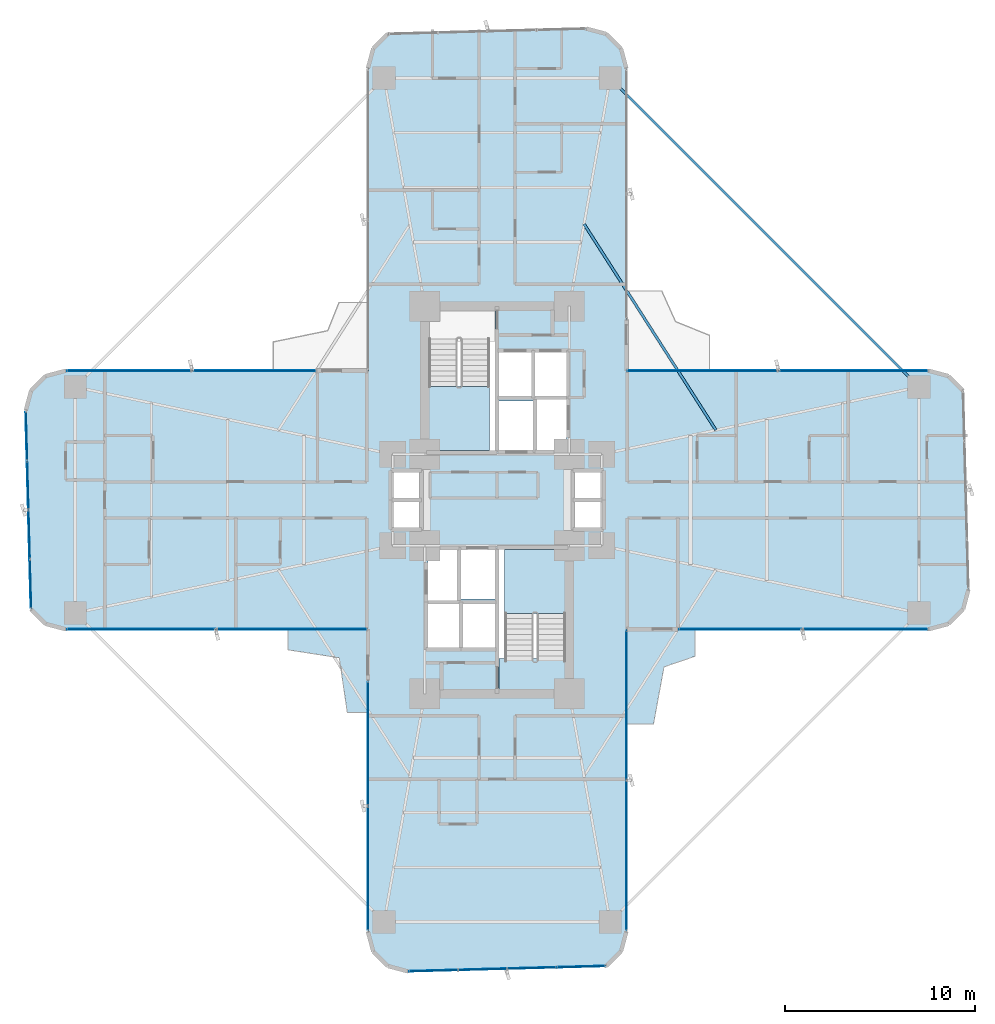
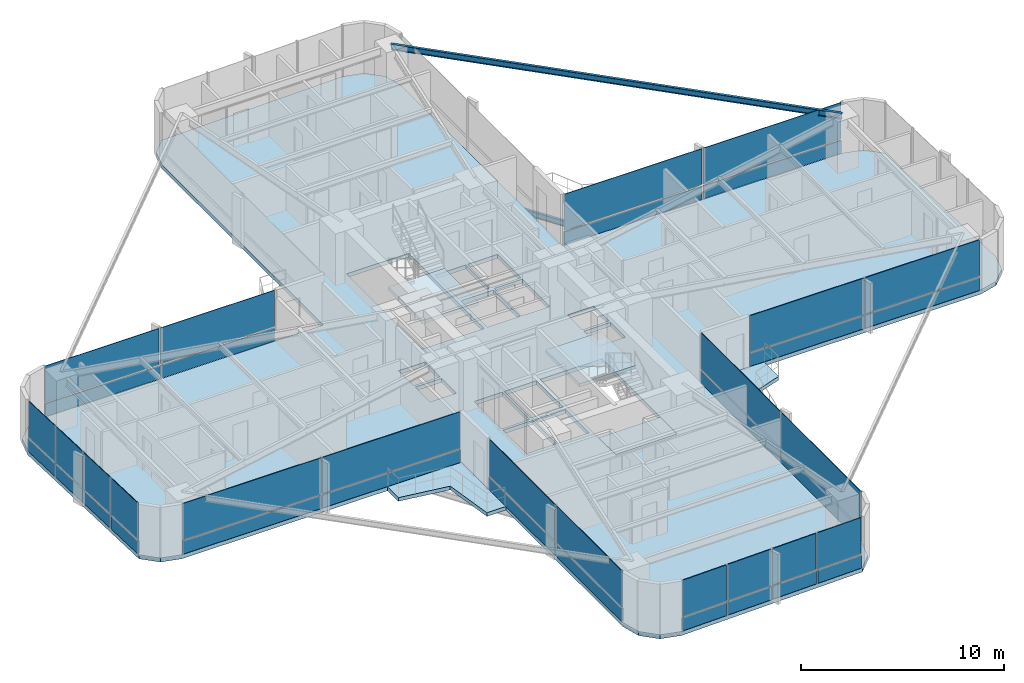
# One storey, part 20 of 26: 40 plates, 6 slabs, 2 beams, 10 elements without a shape of their own.
"""IFC4 building model written with IfcOpenShell, lengths in metres."""

from ifc_helpers import new_model, si_unit, direction, frame, origin, origin_2d, place, context, subcontext, project, spatial, polyline, rectangle, i_section, outline, extrude, source, transform, mapped, material, layer, layer_set, material_profile, profile_set, type_object, element, aggregate, save


model = new_model("IFC4")

# Units and contexts
model_context = context("Model", 3, precision=1e-05, world=origin(), true_north=direction((0.0, 1.0)))
body_context = subcontext(model_context, "Body", "Model", "MODEL_VIEW")
ifc_project = project(units=[si_unit("LENGTHUNIT", "METRE"), si_unit("AREAUNIT", "SQUARE_METRE"), si_unit("VOLUMEUNIT", "CUBIC_METRE"), si_unit("PLANEANGLEUNIT", "RADIAN"), si_unit("MASSUNIT", "GRAM", prefix="KILO")], contexts=[model_context])

# Site, building, storey
site_placement = place(None, origin())
site = spatial("IfcSite", under=ifc_project, at=site_placement, CompositionType="ELEMENT")
building_placement = place(site_placement, origin())
building = spatial("IfcBuilding", under=site, at=building_placement, Name="Sahyath Konkavel Grand Hotel", CompositionType="ELEMENT")
storey_placement = place(building_placement, frame((0.0, 0.0, 51.050048828125)))
storey = spatial("IfcBuildingStorey", under=building, at=storey_placement, Name="L13", CompositionType="ELEMENT", Elevation=51.050048828125)

# Beams
ifc_material_1 = material(Name="Steel E350", Category="steel")
ifc_material_profile_1 = material_profile(ifc_material_1, i_section(OverallWidth=0.139892578125, OverallDepth=0.35009765625, WebThickness=0.008056640625, FlangeThickness=0.01416015625, FilletRadius=0.013916015625, at=origin_2d()), Name="ISMB 350")
ifc_profile_set_1 = profile_set([ifc_material_profile_1], Name="Steel E350")
beam_type_1 = type_object("IfcBeamType", Name="BM-ISMB350", PredefinedType="BEAM", material=ifc_profile_set_1)
shared_shape_1 = source(origin(), body_context, "Body", "SweptSolid", [
    extrude(i_section(OverallWidth=0.139892578125, OverallDepth=0.35009765625, WebThickness=0.008056640625, FlangeThickness=0.01416015625, FilletRadius=0.013916015625, at=origin_2d()), origin(), (0.0, 0.0, 1.0), 22.98095703125),
])
beam_1_placement = place(storey_placement, frame((22.199951171875, 5.949951171875, 2.93505859375), z_axis=(-0.707106781187, 0.707106781187, 0.0), x_axis=(-0.707106781187, -0.707106781187, 0.0)))
element("IfcBeam", 1, at=beam_1_placement, inside=storey, type_object=beam_type_1, Name="L13 Re-Entrant Tie Beam NE", PredefinedType="BEAM", context=body_context, shape_type="MappedRepresentation", body=[
    mapped(shared_shape_1, transform((0.0, 0.0, 0.0), scale=1.0)),
])
ifc_material_profile_2 = material_profile(ifc_material_1, i_section(OverallWidth=0.139892578125, OverallDepth=0.35009765625, WebThickness=0.008056640625, FlangeThickness=0.01416015625, FilletRadius=0.013916015625, at=origin_2d()), Name="ISMB 350")
ifc_profile_set_2 = profile_set([ifc_material_profile_2], Name="Steel E350")
beam_type_2 = type_object("IfcBeamType", Name="BM-BALC-CANT", PredefinedType="BEAM", material=ifc_profile_set_2)
shared_shape_2 = source(origin(), body_context, "Body", "SweptSolid", [
    extrude(i_section(OverallWidth=0.139892578125, OverallDepth=0.35009765625, WebThickness=0.008056640625, FlangeThickness=0.01416015625, FilletRadius=0.013916015625, at=origin_2d()), origin(), (0.0, 0.0, 1.0), 12.871826171875),
])
beam_2_placement = place(storey_placement, frame((11.511962890625, 3.677978515625, -0.4150390625), z_axis=(-0.539003102535, 0.842303778608, 0.0), x_axis=(-0.842303778608, -0.539003102535, 0.0)))
element("IfcBeam", 2, at=beam_2_placement, inside=storey, type_object=beam_type_2, Name="L13 Balcony Cantilever Support Beam NE", PredefinedType="BEAM", context=body_context, shape_type="MappedRepresentation", body=[
    mapped(shared_shape_2, transform((0.0, 0.0, 0.0), scale=1.0)),
])

# Slabs
ifc_material_2 = material(Name="Concrete C40/50", Category="concrete")
ifc_layer_1 = layer(ifc_material_2, 0.239990234375)
ifc_layer_set_1 = layer_set([ifc_layer_1], Name="Concrete C40/50")
slab_type_1 = type_object("IfcSlabType", Name="SLB-240", PredefinedType="FLOOR", material=ifc_layer_set_1)
slab_1_placement = place(storey_placement, frame((0.0, 0.0, -0.239990234375)))
element("IfcSlab", 3, at=slab_1_placement, inside=storey, type_object=slab_type_1, Name="L13 Structural Floor Slab", PredefinedType="FLOOR", context=body_context, shape_type="SweptSolid", body=[
    extrude(outline(polyline([(6.800048828125, -6.800048828125), (22.699951171875, -6.800048828125), (23.75, -6.518798828125), (24.518798828125, -5.75), (24.800048828125, -4.699951171875), (24.518798828125, 5.75), (23.75, 6.518798828125), (22.699951171875, 6.800048828125), (6.800048828125, 6.800048828125), (6.800048828125, 22.699951171875), (6.518798828125, 23.75), (5.75, 24.518798828125), (4.699951171875, 24.800048828125), (-5.75, 24.518798828125), (-6.518798828125, 23.75), (-6.800048828125, 22.699951171875), (-6.800048828125, 6.800048828125), (-22.699951171875, 6.800048828125), (-23.75, 6.518798828125), (-24.518798828125, 5.75), (-24.800048828125, 4.699951171875), (-24.518798828125, -5.75), (-23.75, -6.518798828125), (-22.699951171875, -6.800048828125), (-6.800048828125, -6.800048828125), (-6.800048828125, -22.699951171875), (-6.518798828125, -23.75), (-5.75, -24.518798828125), (-4.699951171875, -24.800048828125), (5.75, -24.518798828125), (6.518798828125, -23.75), (6.800048828125, -22.699951171875), (6.800048828125, -6.800048828125)]), holes=[polyline([(-3.6201171875, 2.580078125), (-0.10009765625, 2.580078125), (-0.10009765625, 10.02001953125), (-3.6201171875, 10.02001953125), (-3.6201171875, 2.580078125)]), polyline([(0.10009765625, -10.02001953125), (3.6201171875, -10.02001953125), (3.6201171875, -2.580078125), (0.10009765625, -2.580078125), (0.10009765625, -10.02001953125)]), polyline([(0.10009765625, 2.60009765625), (1.949951171875, 2.60009765625), (1.949951171875, 5.199951171875), (0.10009765625, 5.199951171875), (0.10009765625, 2.60009765625)]), polyline([(-1.949951171875, -5.199951171875), (-0.10009765625, -5.199951171875), (-0.10009765625, -2.60009765625), (-1.949951171875, -2.60009765625), (-1.949951171875, -5.199951171875)]), polyline([(2.050048828125, 2.60009765625), (3.64990234375, 2.60009765625), (3.64990234375, 5.300048828125), (2.050048828125, 5.300048828125), (2.050048828125, 2.60009765625)]), polyline([(-3.64990234375, -5.300048828125), (-2.050048828125, -5.300048828125), (-2.050048828125, -2.60009765625), (-3.64990234375, -2.60009765625), (-3.64990234375, -5.300048828125)]), polyline([(0.10009765625, 5.449951171875), (1.85009765625, 5.449951171875), (1.85009765625, 7.75), (0.10009765625, 7.75), (0.10009765625, 5.449951171875)]), polyline([(1.949951171875, 5.449951171875), (3.64990234375, 5.449951171875), (3.64990234375, 7.75), (1.949951171875, 7.75), (1.949951171875, 5.449951171875)]), polyline([(-3.64990234375, -7.75), (-1.949951171875, -7.75), (-1.949951171875, -5.449951171875), (-3.64990234375, -5.449951171875), (-3.64990234375, -7.75)]), polyline([(-1.85009765625, -7.75), (-0.10009765625, -7.75), (-0.10009765625, -5.449951171875), (-1.85009765625, -5.449951171875), (-1.85009765625, -7.75)]), polyline([(4.050048828125, 0.080078125), (5.550048828125, 0.080078125), (5.550048828125, 1.5400390625), (4.050048828125, 1.5400390625), (4.050048828125, 0.080078125)]), polyline([(4.050048828125, -1.5400390625), (5.550048828125, -1.5400390625), (5.550048828125, -0.080078125), (4.050048828125, -0.080078125), (4.050048828125, -1.5400390625)]), polyline([(-5.550048828125, 0.080078125), (-4.050048828125, 0.080078125), (-4.050048828125, 1.5400390625), (-5.550048828125, 1.5400390625), (-5.550048828125, 0.080078125)]), polyline([(-5.550048828125, -1.5400390625), (-4.050048828125, -1.5400390625), (-4.050048828125, -0.080078125), (-5.550048828125, -0.080078125), (-5.550048828125, -1.5400390625)])]), origin(), (0.0, 0.0, 1.0), 0.239990234375),
])
ifc_layer_2 = layer(ifc_material_2, 0.219970703125)
ifc_layer_set_2 = layer_set([ifc_layer_2], Name="Concrete C40/50")
slab_type_2 = type_object("IfcSlabType", Name="SLB-BALCONY-220", PredefinedType="FLOOR", material=ifc_layer_set_2)
slab_2_placement = place(storey_placement, frame((0.0, 0.0, -0.219970703125)))
element("IfcSlab", 4, at=slab_2_placement, inside=storey, type_object=slab_type_2, Name="L13 Winter-Garden Balcony SW", PredefinedType="FLOOR", context=body_context, shape_type="SweptSolid", body=[
    extrude(outline(polyline([(-6.800048828125, -6.800048828125), (-11.011962890625, -6.800048828125), (-11.011962890625, -7.8828125), (-8.303955078125, -8.303955078125), (-7.8828125, -11.18798828125), (-6.800048828125, -11.18798828125), (-6.800048828125, -6.800048828125)])), origin(), (0.0, 0.0, 1.0), 0.219970703125),
])
slab_3_placement = place(storey_placement, frame((0.0, 0.0, -0.219970703125)))
element("IfcSlab", 5, at=slab_3_placement, inside=storey, type_object=slab_type_2, Name="L13 Winter-Garden Balcony SE", PredefinedType="FLOOR", context=body_context, shape_type="SweptSolid", body=[
    extrude(outline(polyline([(6.800048828125, -6.800048828125), (6.800048828125, -11.7939453125), (8.226318359375, -11.7939453125), (8.781005859375, -8.781005859375), (10.406005859375, -8.226318359375), (10.406005859375, -6.800048828125), (6.800048828125, -6.800048828125)])), origin(), (0.0, 0.0, 1.0), 0.219970703125),
])

# Stair, slab
stair_type = type_object("IfcStairType", Name="STR-ST16-335", PredefinedType="HALF_TURN_STAIR", material=ifc_material_2)
stair_1_placement = place(storey_placement, origin())
stair_1 = element("IfcStair", 6, at=stair_1_placement, inside=storey, type_object=stair_type, Name="L13 North Core Smokeproof Exit Stair ST-1", PredefinedType="HALF_TURN_STAIR")
ifc_layer_3 = layer(ifc_material_2, 0.199951171875)
ifc_layer_set_3 = layer_set([ifc_layer_3], Name="Concrete C40/50")
slab_type_3 = type_object("IfcSlabType", Name="SLB-STAIR-LND", PredefinedType="LANDING", material=ifc_layer_set_3)
slab_4_placement = place(storey_placement, frame((0.0, 0.0, 1.474853515625)))
slab_4 = element("IfcSlab", 7, at=slab_4_placement, type_object=slab_type_3, Name="ST-1 landing 1", PredefinedType="LANDING", context=body_context, shape_type="SweptSolid", body=[
    extrude(outline(polyline([(-3.60009765625, 5.9599609375), (-3.60009765625, 2.60009765625), (-0.39990234375, 2.60009765625), (-0.39990234375, 5.9599609375), (-3.60009765625, 5.9599609375)])), origin(), (0.0, 0.0, 1.0), 0.2001953125),
])
aggregate(stair_1, [slab_4])

stair_2_placement = place(storey_placement, origin())
stair_2 = element("IfcStair", 8, at=stair_2_placement, inside=storey, type_object=stair_type, Name="L13 South Core Smokeproof Exit Stair ST-2", PredefinedType="HALF_TURN_STAIR")
slab_5_placement = place(storey_placement, frame((0.0, 0.0, 1.474853515625)))
slab_5 = element("IfcSlab", 9, at=slab_5_placement, type_object=slab_type_3, Name="ST-2 landing 1", PredefinedType="LANDING", context=body_context, shape_type="SweptSolid", body=[
    extrude(outline(polyline([(3.60009765625, -5.9599609375), (3.60009765625, -2.60009765625), (0.39990234375, -2.60009765625), (0.39990234375, -5.9599609375), (3.60009765625, -5.9599609375)])), origin(), (0.0, 0.0, 1.0), 0.2001953125),
])
aggregate(stair_2, [slab_5])

# Slab
slab_6_placement = place(storey_placement, frame((0.0, 0.0, -0.199951171875)))
element("IfcSlab", 10, at=slab_6_placement, inside=storey, type_object=slab_type_3, Name="L13 Stair ST-2 Floor Landing Slab", PredefinedType="LANDING", context=body_context, shape_type="SweptSolid", body=[
    extrude(outline(polyline([(0.10009765625, -10.02001953125), (3.6201171875, -10.02001953125), (3.6201171875, -8.35009765625), (0.10009765625, -8.35009765625), (0.10009765625, -10.02001953125)])), origin(), (0.0, 0.0, 1.0), 0.199951171875),
])

# Curtain wall, plates
ifc_material_3 = material(Name="Anodised Bronze Aluminium & Low-E Glazing", Category="aluminium")
curtain_wall_type = type_object("IfcCurtainWallType", Name="CW-ZONE1", PredefinedType="NOTDEFINED", material=ifc_material_3)
curtain_wall_1_placement = place(storey_placement, origin())
curtain_wall_1 = element("IfcCurtainWall", 11, at=curtain_wall_1_placement, inside=storey, type_object=curtain_wall_type, Name="L13 Unitised Curtain Wall F7", PredefinedType="NOTDEFINED")
ifc_material_4 = material(Name="Warm Buff Sandstone Cladding", Category="masonry")
ifc_layer_4 = layer(ifc_material_4, 0.074951171875)
ifc_layer_set_4 = layer_set([ifc_layer_4], Name="Warm Buff Sandstone Cladding")
plate_type_1 = type_object("IfcPlateType", Name="PNL-SPANDREL-STONE", PredefinedType="SHEET", material=ifc_layer_set_4)
shared_shape_3 = source(origin(), body_context, "Body", "SweptSolid", [
    extrude(rectangle(XDim=7.830078125, YDim=0.074951171875, at=origin_2d()), origin(), (0.0, 0.0, 1.0), 0.77001953125),
])
plate_1_placement = place(storey_placement, frame((18.705078125, 6.800048828125, 0.0400390625), z_axis=(0.0, 0.0, 1.0), x_axis=(-1.0, 0.0, 0.0)))
plate_1 = element("IfcPlate", 12, at=plate_1_placement, type_object=plate_type_1, Name="L13 Sandstone Relief Spandrel Panel F7-0", PredefinedType="SHEET", context=body_context, shape_type="MappedRepresentation", body=[
    mapped(shared_shape_3, transform((0.0, 0.0, 0.0), scale=1.0)),
])
plate_2_placement = place(storey_placement, frame((10.794921875, 6.800048828125, 0.0400390625), z_axis=(0.0, 0.0, 1.0), x_axis=(-1.0, 0.0, 0.0)))
plate_2 = element("IfcPlate", 13, at=plate_2_placement, type_object=plate_type_1, Name="L13 Sandstone Relief Spandrel Panel F7-1", PredefinedType="SHEET", context=body_context, shape_type="MappedRepresentation", body=[
    mapped(shared_shape_3, transform((0.0, 0.0, 0.0), scale=1.0)),
])

curtain_wall_2_placement = place(storey_placement, origin())
curtain_wall_2 = element("IfcCurtainWall", 14, at=curtain_wall_2_placement, inside=storey, type_object=curtain_wall_type, Name="L13 Unitised Curtain Wall F23", PredefinedType="NOTDEFINED")
plate_3_placement = place(storey_placement, frame((-18.705078125, -6.800048828125, 0.0400390625), z_axis=(0.0, 0.0, 1.0), x_axis=(1.0, 0.0, 0.0)))
plate_3 = element("IfcPlate", 15, at=plate_3_placement, type_object=plate_type_1, Name="L13 Sandstone Relief Spandrel Panel F23-0", PredefinedType="SHEET", context=body_context, shape_type="MappedRepresentation", body=[
    mapped(shared_shape_3, transform((0.0, 0.0, 0.0), scale=1.0)),
])
plate_4_placement = place(storey_placement, frame((-10.794921875, -6.800048828125, 0.0400390625), z_axis=(0.0, 0.0, 1.0), x_axis=(1.0, 0.0, 0.0)))
plate_4 = element("IfcPlate", 16, at=plate_4_placement, type_object=plate_type_1, Name="L13 Sandstone Relief Spandrel Panel F23-1", PredefinedType="SHEET", context=body_context, shape_type="MappedRepresentation", body=[
    mapped(shared_shape_3, transform((0.0, 0.0, 0.0), scale=1.0)),
])

curtain_wall_3_placement = place(storey_placement, origin())
curtain_wall_3 = element("IfcCurtainWall", 17, at=curtain_wall_3_placement, inside=storey, type_object=curtain_wall_type, Name="L13 Unitised Curtain Wall F31", PredefinedType="NOTDEFINED")
plate_5_placement = place(storey_placement, frame((6.800048828125, -18.705078125, 0.0400390625), z_axis=(0.0, 0.0, 1.0), x_axis=(0.0, 1.0, 0.0)))
plate_5 = element("IfcPlate", 18, at=plate_5_placement, type_object=plate_type_1, Name="L13 Sandstone Relief Spandrel Panel F31-0", PredefinedType="SHEET", context=body_context, shape_type="MappedRepresentation", body=[
    mapped(shared_shape_3, transform((0.0, 0.0, 0.0), scale=1.0)),
])
plate_6_placement = place(storey_placement, frame((6.800048828125, -10.794921875, 0.0400390625), z_axis=(0.0, 0.0, 1.0), x_axis=(0.0, 1.0, 0.0)))
plate_6 = element("IfcPlate", 19, at=plate_6_placement, type_object=plate_type_1, Name="L13 Sandstone Relief Spandrel Panel F31-1", PredefinedType="SHEET", context=body_context, shape_type="MappedRepresentation", body=[
    mapped(shared_shape_3, transform((0.0, 0.0, 0.0), scale=1.0)),
])

# Plate
ifc_material_5 = material(Name="Low-E Solar Control Double Glazing", Category="glass")
ifc_layer_5 = layer(ifc_material_5, 0.035888671875)
ifc_layer_set_5 = layer_set([ifc_layer_5], Name="Low-E Solar Control Double Glazing")
plate_type_2 = type_object("IfcPlateType", Name="PNL-VISION-LOWE", PredefinedType="CURTAIN_PANEL", material=ifc_layer_set_5)
shared_shape_4 = source(origin(), body_context, "Body", "SweptSolid", [
    extrude(rectangle(XDim=7.830078125, YDim=0.035888671875, at=origin_2d()), origin(), (0.0, 0.0, 1.0), 2.179931640625),
])
plate_7_placement = place(storey_placement, frame((18.705078125, 6.800048828125, 0.89013671875), z_axis=(0.0, 0.0, 1.0), x_axis=(-1.0, 0.0, 0.0)))
plate_7 = element("IfcPlate", 20, at=plate_7_placement, type_object=plate_type_2, Name="L13 Low-E Vision Glazing Panel F7-0", PredefinedType="CURTAIN_PANEL", context=body_context, shape_type="MappedRepresentation", body=[
    mapped(shared_shape_4, transform((0.0, 0.0, 0.0), scale=1.0)),
])

plate_8_placement = place(storey_placement, frame((10.794921875, 6.800048828125, 0.89013671875), z_axis=(0.0, 0.0, 1.0), x_axis=(-1.0, 0.0, 0.0)))
plate_8 = element("IfcPlate", 21, at=plate_8_placement, type_object=plate_type_2, Name="L13 Low-E Vision Glazing Panel F7-1", PredefinedType="CURTAIN_PANEL", context=body_context, shape_type="MappedRepresentation", body=[
    mapped(shared_shape_4, transform((0.0, 0.0, 0.0), scale=1.0)),
])

aggregate(curtain_wall_1, [plate_1, plate_7, plate_2, plate_8])

plate_9_placement = place(storey_placement, frame((-18.705078125, -6.800048828125, 0.89013671875), z_axis=(0.0, 0.0, 1.0), x_axis=(1.0, 0.0, 0.0)))
plate_9 = element("IfcPlate", 22, at=plate_9_placement, type_object=plate_type_2, Name="L13 Low-E Vision Glazing Panel F23-0", PredefinedType="CURTAIN_PANEL", context=body_context, shape_type="MappedRepresentation", body=[
    mapped(shared_shape_4, transform((0.0, 0.0, 0.0), scale=1.0)),
])

plate_10_placement = place(storey_placement, frame((-10.794921875, -6.800048828125, 0.89013671875), z_axis=(0.0, 0.0, 1.0), x_axis=(1.0, 0.0, 0.0)))
plate_10 = element("IfcPlate", 23, at=plate_10_placement, type_object=plate_type_2, Name="L13 Low-E Vision Glazing Panel F23-1", PredefinedType="CURTAIN_PANEL", context=body_context, shape_type="MappedRepresentation", body=[
    mapped(shared_shape_4, transform((0.0, 0.0, 0.0), scale=1.0)),
])

aggregate(curtain_wall_2, [plate_3, plate_9, plate_4, plate_10])

plate_11_placement = place(storey_placement, frame((6.800048828125, -18.705078125, 0.89013671875), z_axis=(0.0, 0.0, 1.0), x_axis=(0.0, 1.0, 0.0)))
plate_11 = element("IfcPlate", 24, at=plate_11_placement, type_object=plate_type_2, Name="L13 Low-E Vision Glazing Panel F31-0", PredefinedType="CURTAIN_PANEL", context=body_context, shape_type="MappedRepresentation", body=[
    mapped(shared_shape_4, transform((0.0, 0.0, 0.0), scale=1.0)),
])

plate_12_placement = place(storey_placement, frame((6.800048828125, -10.794921875, 0.89013671875), z_axis=(0.0, 0.0, 1.0), x_axis=(0.0, 1.0, 0.0)))
plate_12 = element("IfcPlate", 25, at=plate_12_placement, type_object=plate_type_2, Name="L13 Low-E Vision Glazing Panel F31-1", PredefinedType="CURTAIN_PANEL", context=body_context, shape_type="MappedRepresentation", body=[
    mapped(shared_shape_4, transform((0.0, 0.0, 0.0), scale=1.0)),
])

aggregate(curtain_wall_3, [plate_5, plate_11, plate_6, plate_12])

# Curtain wall, plates
curtain_wall_4_placement = place(storey_placement, origin())
curtain_wall_4 = element("IfcCurtainWall", 26, at=curtain_wall_4_placement, inside=storey, type_object=curtain_wall_type, Name="L13 Unitised Curtain Wall F20", PredefinedType="NOTDEFINED")
shared_shape_5 = source(origin(), body_context, "Body", "SweptSolid", [
    extrude(rectangle(XDim=2.513427734375, YDim=0.074951171875, at=origin_2d()), origin(), (0.0, 0.0, 1.0), 0.77001953125),
])
plate_13_placement = place(storey_placement, frame((-24.763916015625, 3.36376953125, 0.0400390625), z_axis=(0.0, 0.0, 1.0), x_axis=(0.026909728301, -0.999637867691, 0.0)))
plate_13 = element("IfcPlate", 27, at=plate_13_placement, type_object=plate_type_1, Name="L13 Sandstone Relief Spandrel Panel F20-0", PredefinedType="SHEET", context=body_context, shape_type="MappedRepresentation", body=[
    mapped(shared_shape_5, transform((0.0, 0.0, 0.0), scale=1.0)),
])
plate_14_placement = place(storey_placement, frame((-24.694091796875, 0.771240234375, 0.0400390625), z_axis=(0.0, 0.0, 1.0), x_axis=(0.026909728301, -0.999637867691, 0.0)))
plate_14 = element("IfcPlate", 28, at=plate_14_placement, type_object=plate_type_1, Name="L13 Sandstone Relief Spandrel Panel F20-1", PredefinedType="SHEET", context=body_context, shape_type="MappedRepresentation", body=[
    mapped(shared_shape_5, transform((0.0, 0.0, 0.0), scale=1.0)),
])
plate_15_placement = place(storey_placement, frame((-24.62451171875, -1.8212890625, 0.0400390625), z_axis=(0.0, 0.0, 1.0), x_axis=(0.026909728301, -0.999637867691, 0.0)))
plate_15 = element("IfcPlate", 29, at=plate_15_placement, type_object=plate_type_1, Name="L13 Sandstone Relief Spandrel Panel F20-2", PredefinedType="SHEET", context=body_context, shape_type="MappedRepresentation", body=[
    mapped(shared_shape_5, transform((0.0, 0.0, 0.0), scale=1.0)),
])
plate_16_placement = place(storey_placement, frame((-24.5546875, -4.413818359375, 0.0400390625), z_axis=(0.0, 0.0, 1.0), x_axis=(0.026909728301, -0.999637867691, 0.0)))
plate_16 = element("IfcPlate", 30, at=plate_16_placement, type_object=plate_type_1, Name="L13 Sandstone Relief Spandrel Panel F20-3", PredefinedType="SHEET", context=body_context, shape_type="MappedRepresentation", body=[
    mapped(shared_shape_5, transform((0.0, 0.0, 0.0), scale=1.0)),
])

curtain_wall_5_placement = place(storey_placement, origin())
curtain_wall_5 = element("IfcCurtainWall", 31, at=curtain_wall_5_placement, inside=storey, type_object=curtain_wall_type, Name="L13 Unitised Curtain Wall F28", PredefinedType="NOTDEFINED")
plate_17_placement = place(storey_placement, frame((-3.36376953125, -24.763916015625, 0.0400390625), z_axis=(0.0, 0.0, 1.0), x_axis=(0.999637867691, 0.026909728301, 0.0)))
plate_17 = element("IfcPlate", 32, at=plate_17_placement, type_object=plate_type_1, Name="L13 Sandstone Relief Spandrel Panel F28-0", PredefinedType="SHEET", context=body_context, shape_type="MappedRepresentation", body=[
    mapped(shared_shape_5, transform((0.0, 0.0, 0.0), scale=1.0)),
])
plate_18_placement = place(storey_placement, frame((-0.771240234375, -24.694091796875, 0.0400390625), z_axis=(0.0, 0.0, 1.0), x_axis=(0.999637867691, 0.026909728301, 0.0)))
plate_18 = element("IfcPlate", 33, at=plate_18_placement, type_object=plate_type_1, Name="L13 Sandstone Relief Spandrel Panel F28-1", PredefinedType="SHEET", context=body_context, shape_type="MappedRepresentation", body=[
    mapped(shared_shape_5, transform((0.0, 0.0, 0.0), scale=1.0)),
])
plate_19_placement = place(storey_placement, frame((1.8212890625, -24.62451171875, 0.0400390625), z_axis=(0.0, 0.0, 1.0), x_axis=(0.999637867691, 0.026909728301, 0.0)))
plate_19 = element("IfcPlate", 34, at=plate_19_placement, type_object=plate_type_1, Name="L13 Sandstone Relief Spandrel Panel F28-2", PredefinedType="SHEET", context=body_context, shape_type="MappedRepresentation", body=[
    mapped(shared_shape_5, transform((0.0, 0.0, 0.0), scale=1.0)),
])
plate_20_placement = place(storey_placement, frame((4.413818359375, -24.5546875, 0.0400390625), z_axis=(0.0, 0.0, 1.0), x_axis=(0.999637867691, 0.026909728301, 0.0)))
plate_20 = element("IfcPlate", 35, at=plate_20_placement, type_object=plate_type_1, Name="L13 Sandstone Relief Spandrel Panel F28-3", PredefinedType="SHEET", context=body_context, shape_type="MappedRepresentation", body=[
    mapped(shared_shape_5, transform((0.0, 0.0, 0.0), scale=1.0)),
])

# Plate
shared_shape_6 = source(origin(), body_context, "Body", "SweptSolid", [
    extrude(rectangle(XDim=2.513427734375, YDim=0.035888671875, at=origin_2d()), origin(), (0.0, 0.0, 1.0), 2.179931640625),
])
plate_21_placement = place(storey_placement, frame((-24.763916015625, 3.36376953125, 0.89013671875), z_axis=(0.0, 0.0, 1.0), x_axis=(0.026909728301, -0.999637867691, 0.0)))
plate_21 = element("IfcPlate", 36, at=plate_21_placement, type_object=plate_type_2, Name="L13 Low-E Vision Glazing Panel F20-0", PredefinedType="CURTAIN_PANEL", context=body_context, shape_type="MappedRepresentation", body=[
    mapped(shared_shape_6, transform((0.0, 0.0, 0.0), scale=1.0)),
])

plate_22_placement = place(storey_placement, frame((-24.694091796875, 0.771240234375, 0.89013671875), z_axis=(0.0, 0.0, 1.0), x_axis=(0.026909728301, -0.999637867691, 0.0)))
plate_22 = element("IfcPlate", 37, at=plate_22_placement, type_object=plate_type_2, Name="L13 Low-E Vision Glazing Panel F20-1", PredefinedType="CURTAIN_PANEL", context=body_context, shape_type="MappedRepresentation", body=[
    mapped(shared_shape_6, transform((0.0, 0.0, 0.0), scale=1.0)),
])

plate_23_placement = place(storey_placement, frame((-24.62451171875, -1.8212890625, 0.89013671875), z_axis=(0.0, 0.0, 1.0), x_axis=(0.026909728301, -0.999637867691, 0.0)))
plate_23 = element("IfcPlate", 38, at=plate_23_placement, type_object=plate_type_2, Name="L13 Low-E Vision Glazing Panel F20-2", PredefinedType="CURTAIN_PANEL", context=body_context, shape_type="MappedRepresentation", body=[
    mapped(shared_shape_6, transform((0.0, 0.0, 0.0), scale=1.0)),
])

plate_24_placement = place(storey_placement, frame((-24.5546875, -4.413818359375, 0.89013671875), z_axis=(0.0, 0.0, 1.0), x_axis=(0.026909728301, -0.999637867691, 0.0)))
plate_24 = element("IfcPlate", 39, at=plate_24_placement, type_object=plate_type_2, Name="L13 Low-E Vision Glazing Panel F20-3", PredefinedType="CURTAIN_PANEL", context=body_context, shape_type="MappedRepresentation", body=[
    mapped(shared_shape_6, transform((0.0, 0.0, 0.0), scale=1.0)),
])

aggregate(curtain_wall_4, [plate_13, plate_21, plate_14, plate_22, plate_15, plate_23, plate_16, plate_24])

plate_25_placement = place(storey_placement, frame((-3.36376953125, -24.763916015625, 0.89013671875), z_axis=(0.0, 0.0, 1.0), x_axis=(0.999637867691, 0.026909728301, 0.0)))
plate_25 = element("IfcPlate", 40, at=plate_25_placement, type_object=plate_type_2, Name="L13 Low-E Vision Glazing Panel F28-0", PredefinedType="CURTAIN_PANEL", context=body_context, shape_type="MappedRepresentation", body=[
    mapped(shared_shape_6, transform((0.0, 0.0, 0.0), scale=1.0)),
])

plate_26_placement = place(storey_placement, frame((-0.771240234375, -24.694091796875, 0.89013671875), z_axis=(0.0, 0.0, 1.0), x_axis=(0.999637867691, 0.026909728301, 0.0)))
plate_26 = element("IfcPlate", 41, at=plate_26_placement, type_object=plate_type_2, Name="L13 Low-E Vision Glazing Panel F28-1", PredefinedType="CURTAIN_PANEL", context=body_context, shape_type="MappedRepresentation", body=[
    mapped(shared_shape_6, transform((0.0, 0.0, 0.0), scale=1.0)),
])

plate_27_placement = place(storey_placement, frame((1.8212890625, -24.62451171875, 0.89013671875), z_axis=(0.0, 0.0, 1.0), x_axis=(0.999637867691, 0.026909728301, 0.0)))
plate_27 = element("IfcPlate", 42, at=plate_27_placement, type_object=plate_type_2, Name="L13 Low-E Vision Glazing Panel F28-2", PredefinedType="CURTAIN_PANEL", context=body_context, shape_type="MappedRepresentation", body=[
    mapped(shared_shape_6, transform((0.0, 0.0, 0.0), scale=1.0)),
])

plate_28_placement = place(storey_placement, frame((4.413818359375, -24.5546875, 0.89013671875), z_axis=(0.0, 0.0, 1.0), x_axis=(0.999637867691, 0.026909728301, 0.0)))
plate_28 = element("IfcPlate", 43, at=plate_28_placement, type_object=plate_type_2, Name="L13 Low-E Vision Glazing Panel F28-3", PredefinedType="CURTAIN_PANEL", context=body_context, shape_type="MappedRepresentation", body=[
    mapped(shared_shape_6, transform((0.0, 0.0, 0.0), scale=1.0)),
])

aggregate(curtain_wall_5, [plate_17, plate_25, plate_18, plate_26, plate_19, plate_27, plate_20, plate_28])

# Curtain wall, plates
curtain_wall_6_placement = place(storey_placement, origin())
curtain_wall_6 = element("IfcCurtainWall", 44, at=curtain_wall_6_placement, inside=storey, type_object=curtain_wall_type, Name="L13 Unitised Curtain Wall F0", PredefinedType="NOTDEFINED")
shared_shape_7 = source(origin(), body_context, "Body", "SweptSolid", [
    extrude(rectangle(XDim=6.47998046875, YDim=0.074951171875, at=origin_2d()), origin(), (0.0, 0.0, 1.0), 0.77001953125),
])
plate_29_placement = place(storey_placement, frame((12.820068359375, -6.800048828125, 0.0400390625), z_axis=(0.0, 0.0, 1.0), x_axis=(1.0, 0.0, 0.0)))
plate_29 = element("IfcPlate", 45, at=plate_29_placement, type_object=plate_type_1, Name="L13 Sandstone Relief Spandrel Panel F0-0", PredefinedType="SHEET", context=body_context, shape_type="MappedRepresentation", body=[
    mapped(shared_shape_7, transform((0.0, 0.0, 0.0), scale=1.0)),
])
plate_30_placement = place(storey_placement, frame((19.3798828125, -6.800048828125, 0.0400390625), z_axis=(0.0, 0.0, 1.0), x_axis=(1.0, 0.0, 0.0)))
plate_30 = element("IfcPlate", 46, at=plate_30_placement, type_object=plate_type_1, Name="L13 Sandstone Relief Spandrel Panel F0-1", PredefinedType="SHEET", context=body_context, shape_type="MappedRepresentation", body=[
    mapped(shared_shape_7, transform((0.0, 0.0, 0.0), scale=1.0)),
])

curtain_wall_7_placement = place(storey_placement, origin())
curtain_wall_7 = element("IfcCurtainWall", 47, at=curtain_wall_7_placement, inside=storey, type_object=curtain_wall_type, Name="L13 Unitised Curtain Wall F16", PredefinedType="NOTDEFINED")
plate_31_placement = place(storey_placement, frame((-12.820068359375, 6.800048828125, 0.0400390625), z_axis=(0.0, 0.0, 1.0), x_axis=(-1.0, 0.0, 0.0)))
plate_31 = element("IfcPlate", 48, at=plate_31_placement, type_object=plate_type_1, Name="L13 Sandstone Relief Spandrel Panel F16-0", PredefinedType="SHEET", context=body_context, shape_type="MappedRepresentation", body=[
    mapped(shared_shape_7, transform((0.0, 0.0, 0.0), scale=1.0)),
])
plate_32_placement = place(storey_placement, frame((-19.3798828125, 6.800048828125, 0.0400390625), z_axis=(0.0, 0.0, 1.0), x_axis=(-1.0, 0.0, 0.0)))
plate_32 = element("IfcPlate", 49, at=plate_32_placement, type_object=plate_type_1, Name="L13 Sandstone Relief Spandrel Panel F16-1", PredefinedType="SHEET", context=body_context, shape_type="MappedRepresentation", body=[
    mapped(shared_shape_7, transform((0.0, 0.0, 0.0), scale=1.0)),
])

curtain_wall_8_placement = place(storey_placement, origin())
curtain_wall_8 = element("IfcCurtainWall", 50, at=curtain_wall_8_placement, inside=storey, type_object=curtain_wall_type, Name="L13 Unitised Curtain Wall F24", PredefinedType="NOTDEFINED")
plate_33_placement = place(storey_placement, frame((-6.800048828125, -12.820068359375, 0.0400390625), z_axis=(0.0, 0.0, 1.0), x_axis=(0.0, -1.0, 0.0)))
plate_33 = element("IfcPlate", 51, at=plate_33_placement, type_object=plate_type_1, Name="L13 Sandstone Relief Spandrel Panel F24-0", PredefinedType="SHEET", context=body_context, shape_type="MappedRepresentation", body=[
    mapped(shared_shape_7, transform((0.0, 0.0, 0.0), scale=1.0)),
])
plate_34_placement = place(storey_placement, frame((-6.800048828125, -19.3798828125, 0.0400390625), z_axis=(0.0, 0.0, 1.0), x_axis=(0.0, -1.0, 0.0)))
plate_34 = element("IfcPlate", 52, at=plate_34_placement, type_object=plate_type_1, Name="L13 Sandstone Relief Spandrel Panel F24-1", PredefinedType="SHEET", context=body_context, shape_type="MappedRepresentation", body=[
    mapped(shared_shape_7, transform((0.0, 0.0, 0.0), scale=1.0)),
])

# Plate
shared_shape_8 = source(origin(), body_context, "Body", "SweptSolid", [
    extrude(rectangle(XDim=6.47998046875, YDim=0.035888671875, at=origin_2d()), origin(), (0.0, 0.0, 1.0), 2.179931640625),
])
plate_35_placement = place(storey_placement, frame((12.820068359375, -6.800048828125, 0.89013671875), z_axis=(0.0, 0.0, 1.0), x_axis=(1.0, 0.0, 0.0)))
plate_35 = element("IfcPlate", 53, at=plate_35_placement, type_object=plate_type_2, Name="L13 Low-E Vision Glazing Panel F0-0", PredefinedType="CURTAIN_PANEL", context=body_context, shape_type="MappedRepresentation", body=[
    mapped(shared_shape_8, transform((0.0, 0.0, 0.0), scale=1.0)),
])

plate_36_placement = place(storey_placement, frame((19.3798828125, -6.800048828125, 0.89013671875), z_axis=(0.0, 0.0, 1.0), x_axis=(1.0, 0.0, 0.0)))
plate_36 = element("IfcPlate", 54, at=plate_36_placement, type_object=plate_type_2, Name="L13 Low-E Vision Glazing Panel F0-1", PredefinedType="CURTAIN_PANEL", context=body_context, shape_type="MappedRepresentation", body=[
    mapped(shared_shape_8, transform((0.0, 0.0, 0.0), scale=1.0)),
])

aggregate(curtain_wall_6, [plate_29, plate_35, plate_30, plate_36])

plate_37_placement = place(storey_placement, frame((-12.820068359375, 6.800048828125, 0.89013671875), z_axis=(0.0, 0.0, 1.0), x_axis=(-1.0, 0.0, 0.0)))
plate_37 = element("IfcPlate", 55, at=plate_37_placement, type_object=plate_type_2, Name="L13 Low-E Vision Glazing Panel F16-0", PredefinedType="CURTAIN_PANEL", context=body_context, shape_type="MappedRepresentation", body=[
    mapped(shared_shape_8, transform((0.0, 0.0, 0.0), scale=1.0)),
])

plate_38_placement = place(storey_placement, frame((-19.3798828125, 6.800048828125, 0.89013671875), z_axis=(0.0, 0.0, 1.0), x_axis=(-1.0, 0.0, 0.0)))
plate_38 = element("IfcPlate", 56, at=plate_38_placement, type_object=plate_type_2, Name="L13 Low-E Vision Glazing Panel F16-1", PredefinedType="CURTAIN_PANEL", context=body_context, shape_type="MappedRepresentation", body=[
    mapped(shared_shape_8, transform((0.0, 0.0, 0.0), scale=1.0)),
])

aggregate(curtain_wall_7, [plate_31, plate_37, plate_32, plate_38])

plate_39_placement = place(storey_placement, frame((-6.800048828125, -12.820068359375, 0.89013671875), z_axis=(0.0, 0.0, 1.0), x_axis=(0.0, -1.0, 0.0)))
plate_39 = element("IfcPlate", 57, at=plate_39_placement, type_object=plate_type_2, Name="L13 Low-E Vision Glazing Panel F24-0", PredefinedType="CURTAIN_PANEL", context=body_context, shape_type="MappedRepresentation", body=[
    mapped(shared_shape_8, transform((0.0, 0.0, 0.0), scale=1.0)),
])

plate_40_placement = place(storey_placement, frame((-6.800048828125, -19.3798828125, 0.89013671875), z_axis=(0.0, 0.0, 1.0), x_axis=(0.0, -1.0, 0.0)))
plate_40 = element("IfcPlate", 58, at=plate_40_placement, type_object=plate_type_2, Name="L13 Low-E Vision Glazing Panel F24-1", PredefinedType="CURTAIN_PANEL", context=body_context, shape_type="MappedRepresentation", body=[
    mapped(shared_shape_8, transform((0.0, 0.0, 0.0), scale=1.0)),
])

aggregate(curtain_wall_8, [plate_33, plate_39, plate_34, plate_40])

save(model, "model.ifc")
